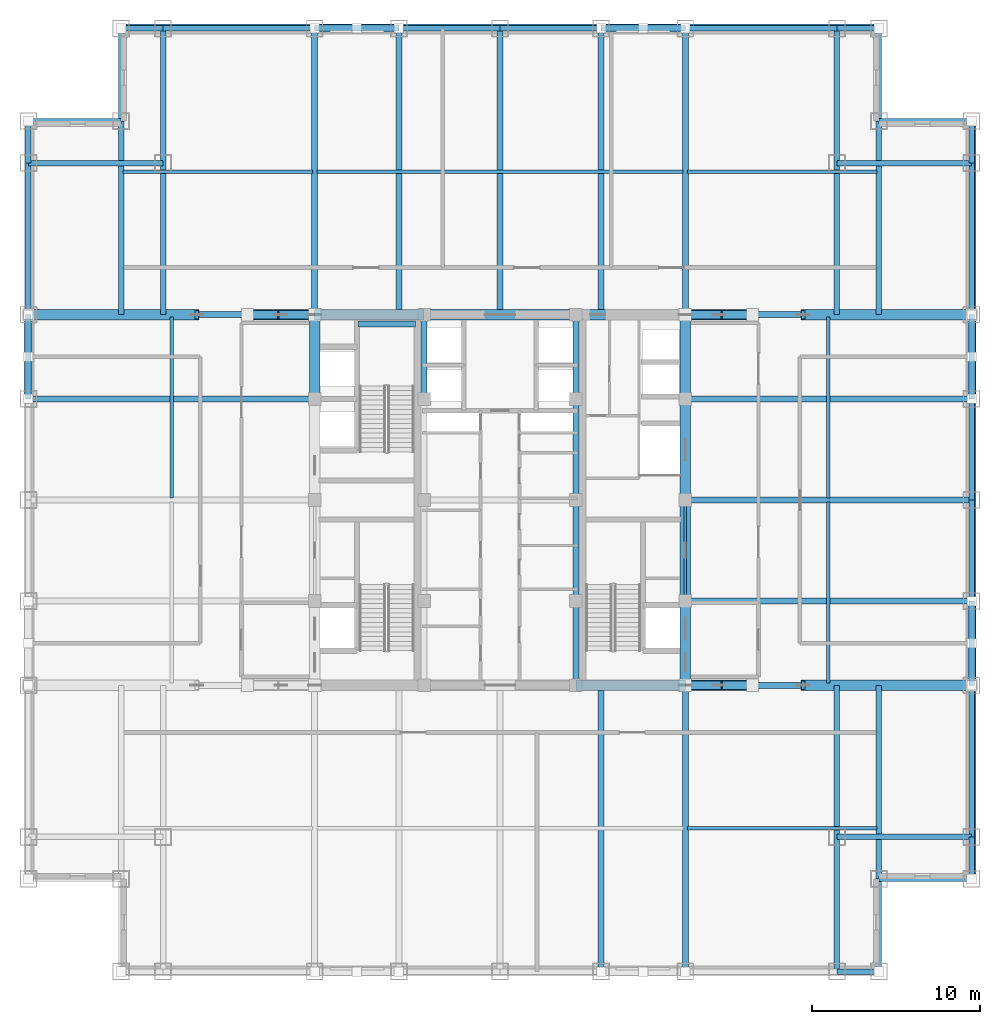
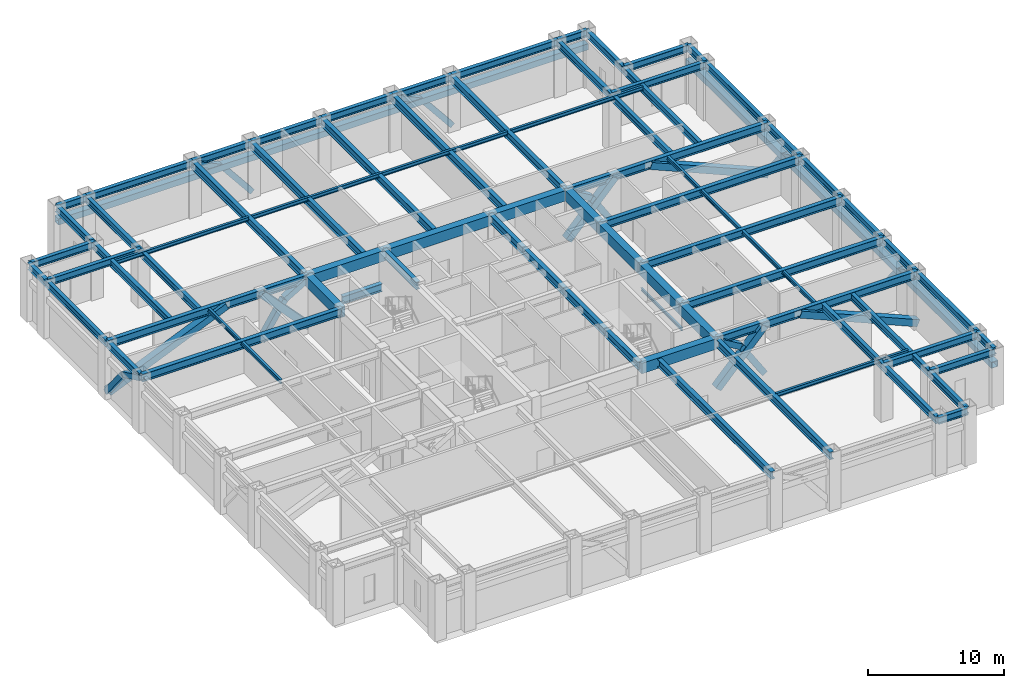
# One storey, part 2 of 11: 72 beams, 24 members.
"""IFC4 building model written with IfcOpenShell, lengths in metres."""

from ifc_helpers import new_model, si_unit, direction, frame, origin, origin_2d, place, context, subcontext, project, spatial, rectangle, hollow_rectangle, i_section, extrude, source, transform, mapped, material, material_profile, profile_set, type_object, element, save


model = new_model("IFC4")

# Units and contexts
model_context = context("Model", 3, precision=1e-05, world=origin(), true_north=direction((0.0, 1.0)))
body_context = subcontext(model_context, "Body", "Model", "MODEL_VIEW")
ifc_project = project(units=[si_unit("LENGTHUNIT", "METRE"), si_unit("AREAUNIT", "SQUARE_METRE"), si_unit("VOLUMEUNIT", "CUBIC_METRE"), si_unit("PLANEANGLEUNIT", "RADIAN"), si_unit("MASSUNIT", "GRAM", prefix="KILO")], contexts=[model_context])

# Site, building, storey
site_placement = place(None, origin())
site = spatial("IfcSite", under=ifc_project, at=site_placement, CompositionType="ELEMENT")
building_placement = place(site_placement, origin())
building = spatial("IfcBuilding", under=site, at=building_placement, Name="Khorayat Bourse Tower", CompositionType="ELEMENT")
storey_placement = place(building_placement, frame((0.0, 0.0, 268.300048828125)))
storey = spatial("IfcBuildingStorey", under=building, at=storey_placement, Name="L63", CompositionType="ELEMENT", Elevation=268.300048828125)

# Beams
ifc_material_1 = material(Name="Steel ASTM A992 Grade 50", Category="steel")
ifc_material_profile_1 = material_profile(ifc_material_1, i_section(OverallWidth=0.35498046875, OverallDepth=0.695068359375, WebThickness=0.015380859375, FlangeThickness=0.02490234375, FilletRadius=0.01806640625, at=origin_2d()), Name="W690X217")
ifc_profile_set_1 = profile_set([ifc_material_profile_1], Name="Steel ASTM A992 Grade 50")
beam_type_1 = type_object("IfcBeamType", Name="BM-GIRD-690", PredefinedType="BEAM", material=ifc_profile_set_1)
shared_shape_1 = source(origin(), body_context, "Body", "SweptSolid", [
    extrude(i_section(OverallWidth=0.35498046875, OverallDepth=0.695068359375, WebThickness=0.015380859375, FlangeThickness=0.02490234375, FilletRadius=0.01806640625, at=origin_2d()), origin(), (0.0, 0.0, 1.0), 5.0),
])
for number, where, z_axis, x_axis, name in (
    (1, (-4.5, 6.0, 4.632568359375), (0.0, 1.0, 0.0), (-1.0, 0.0, 0.0), "L63 BM-GIRD-690 BM-L63-CRX-08"),
    (2, (4.5, -11.0, 4.632568359375), (0.0, 1.0, 0.0), (-1.0, 0.0, 0.0), "L63 BM-GIRD-690 BM-L63-CRX-09"),
    (3, (4.5, 6.0, 4.632568359375), (0.0, 1.0, 0.0), (-1.0, 0.0, 0.0), "L63 BM-GIRD-690 BM-L63-CRX-12"),
):
    element("IfcBeam", number, at=place(storey_placement, frame(where, z_axis=z_axis, x_axis=x_axis)), inside=storey, type_object=beam_type_1, Name=name, PredefinedType="BEAM", context=body_context, shape_type="MappedRepresentation", body=[
        mapped(shared_shape_1, transform((0.0, 0.0, 0.0), scale=1.0)),
    ])
shared_shape_2 = source(origin(), body_context, "Body", "SweptSolid", [
    extrude(i_section(OverallWidth=0.35498046875, OverallDepth=0.695068359375, WebThickness=0.015380859375, FlangeThickness=0.02490234375, FilletRadius=0.01806640625, at=origin_2d()), origin(), (0.0, 0.0, 1.0), 6.0),
])
for number, where, z_axis, x_axis, name in (
    (4, (4.5, -6.0, 4.632568359375), (0.0, 1.0, 0.0), (-1.0, 0.0, 0.0), "L63 BM-GIRD-690 BM-L63-CRX-10"),
    (5, (4.5, 0.0, 4.632568359375), (0.0, 1.0, 0.0), (-1.0, 0.0, 0.0), "L63 BM-GIRD-690 BM-L63-CRX-11"),
):
    element("IfcBeam", number, at=place(storey_placement, frame(where, z_axis=z_axis, x_axis=x_axis)), inside=storey, type_object=beam_type_1, Name=name, PredefinedType="BEAM", context=body_context, shape_type="MappedRepresentation", body=[
        mapped(shared_shape_2, transform((0.0, 0.0, 0.0), scale=1.0)),
    ])
shared_shape_3 = source(origin(), body_context, "Body", "SweptSolid", [
    extrude(i_section(OverallWidth=0.35498046875, OverallDepth=0.695068359375, WebThickness=0.015380859375, FlangeThickness=0.02490234375, FilletRadius=0.01806640625, at=origin_2d()), origin(), (0.0, 0.0, 1.0), 3.39990234375),
])
beam_1_placement = place(storey_placement, frame((-8.419921875, 10.449951171875, 2.052490234375), z_axis=(1.0, 0.0, 0.0), x_axis=(0.0, 1.0, 0.0)))
element("IfcBeam", 6, at=beam_1_placement, inside=storey, type_object=beam_type_1, Name="L63 BM-GIRD-690 BM-L63-ST2L", PredefinedType="BEAM", context=body_context, shape_type="MappedRepresentation", body=[
    mapped(shared_shape_3, transform((0.0, 0.0, 0.0), scale=1.0)),
])
ifc_material_profile_2 = material_profile(ifc_material_1, i_section(OverallWidth=0.14697265625, OverallDepth=0.261962890625, WebThickness=0.006591796875, FlangeThickness=0.01123046875, FilletRadius=0.008056640625, at=origin_2d()), Name="W250X39")
ifc_profile_set_2 = profile_set([ifc_material_profile_2], Name="Steel ASTM A992 Grade 50")
beam_type_2 = type_object("IfcBeamType", Name="BM-LINTEL-250", PredefinedType="LINTEL", material=ifc_profile_set_2)
shared_shape_4 = source(origin(), body_context, "Body", "SweptSolid", [
    extrude(i_section(OverallWidth=0.14697265625, OverallDepth=0.261962890625, WebThickness=0.006591796875, FlangeThickness=0.01123046875, FilletRadius=0.008056640625, at=origin_2d()), origin(), (0.0, 0.0, 1.0), 6.0),
])
beam_2_placement = place(storey_placement, frame((11.0, -6.0, 2.550048828125), z_axis=(0.0, 1.0, 0.0), x_axis=(-1.0, 0.0, 0.0)))
element("IfcBeam", 7, at=beam_2_placement, inside=storey, type_object=beam_type_2, Name="L63 Core Opening Lintel 02", PredefinedType="LINTEL", context=body_context, shape_type="MappedRepresentation", body=[
    mapped(shared_shape_4, transform((0.0, 0.0, 0.0), scale=1.0)),
])
ifc_material_profile_3 = material_profile(ifc_material_1, i_section(OverallWidth=0.324951171875, OverallDepth=0.615966796875, WebThickness=0.013916015625, FlangeThickness=0.021484375, FilletRadius=0.01611328125, at=origin_2d()), Name="W610X174")
ifc_profile_set_3 = profile_set([ifc_material_profile_3], Name="Steel ASTM A992 Grade 50")
beam_type_3 = type_object("IfcBeamType", Name="BM-GIRD-610", PredefinedType="BEAM", material=ifc_profile_set_3)
shared_shape_5 = source(origin(), body_context, "Body", "SweptSolid", [
    extrude(i_section(OverallWidth=0.324951171875, OverallDepth=0.615966796875, WebThickness=0.013916015625, FlangeThickness=0.021484375, FilletRadius=0.01611328125, at=origin_2d()), origin(), (0.0, 0.0, 1.0), 17.0),
])
for number, where, z_axis, x_axis, name in (
    (8, (-20.0, 11.0, 4.592041015625), (0.0, 1.0, 0.0), (-1.0, 0.0, 0.0), "L63 BM-GIRD-610 BM-L63-CNRY-085"),
    (9, (20.0, -28.0, 4.592041015625), (0.0, 1.0, 0.0), (-1.0, 0.0, 0.0), "L63 BM-GIRD-610 BM-L63-CNRY-086"),
    (10, (20.0, 11.0, 4.592041015625), (0.0, 1.0, 0.0), (-1.0, 0.0, 0.0), "L63 BM-GIRD-610 BM-L63-CNRY-087"),
):
    element("IfcBeam", number, at=place(storey_placement, frame(where, z_axis=z_axis, x_axis=x_axis)), inside=storey, type_object=beam_type_3, Name=name, PredefinedType="BEAM", context=body_context, shape_type="MappedRepresentation", body=[
        mapped(shared_shape_5, transform((0.0, 0.0, 0.0), scale=1.0)),
    ])

# Members
ifc_material_2 = material(Name="Steel EN 10025-4 S460M", Category="steel")
ifc_material_profile_4 = material_profile(ifc_material_2, hollow_rectangle(XDim=0.60009765625, YDim=0.60009765625, WallThickness=0.034912109375, at=origin_2d()), Name="BOX 600x600x35")
ifc_profile_set_4 = profile_set([ifc_material_profile_4], Name="Steel EN 10025-4 S460M")
member_type_1 = type_object("IfcMemberType", Name="MBR-OUTRIG-600", PredefinedType="BRACE", material=ifc_profile_set_4)
shared_shape_6 = source(origin(), body_context, "Body", "SweptSolid", [
    extrude(hollow_rectangle(XDim=0.60009765625, YDim=0.60009765625, WallThickness=0.034912109375, at=origin_2d()), origin(), (0.0, 0.0, 1.0), 5.858154296875),
])
for number, where, z_axis, x_axis, name in (
    (11, (-11.0, 11.0, 0.349853515625), (-0.682802163589, 0.0, 0.730603316033), (0.0, -1.0, 0.0), "L63 Outrigger Truss Diagonal 03"),
    (12, (11.0, -11.0, 0.349853515625), (0.682802163589, 0.0, 0.730603316033), (0.0, 1.0, 0.0), "L63 Outrigger Truss Diagonal 05"),
    (13, (11.0, 11.0, 0.349853515625), (0.682802163589, 0.0, 0.730603316033), (0.0, 1.0, 0.0), "L63 Outrigger Truss Diagonal 07"),
):
    element("IfcMember", number, at=place(storey_placement, frame(where, z_axis=z_axis, x_axis=x_axis)), inside=storey, type_object=member_type_1, Name=name, PredefinedType="BRACE", context=body_context, shape_type="MappedRepresentation", body=[
        mapped(shared_shape_6, transform((0.0, 0.0, 0.0), scale=1.0)),
    ])
ifc_material_profile_5 = material_profile(ifc_material_2, hollow_rectangle(XDim=0.5, YDim=0.5, WallThickness=0.028076171875, at=origin_2d()), Name="HSS 500x500x28")
ifc_profile_set_5 = profile_set([ifc_material_profile_5], Name="Steel EN 10025-4 S460M")
member_type_2 = type_object("IfcMemberType", Name="MBR-TRUSS-500", PredefinedType="CHORD", material=ifc_profile_set_5)
shared_shape_7 = source(origin(), body_context, "Body", "SweptSolid", [
    extrude(hollow_rectangle(XDim=0.5, YDim=0.5, WallThickness=0.028076171875, at=origin_2d()), origin(), (0.0, 0.0, 1.0), 2.322021484375),
])
for number, where, z_axis, x_axis, name in (
    (14, (-11.0, 11.0, 4.6298828125), (-0.861282141097, 0.0, -0.508127024893), (0.0, -1.0, 0.0), "L63 Plant Belt Web Diagonal 03"),
    (15, (11.0, -11.0, 4.6298828125), (0.861282141097, 0.0, -0.508127024893), (0.0, 1.0, 0.0), "L63 Plant Belt Web Diagonal 05"),
    (16, (11.0, 11.0, 4.6298828125), (0.861282141097, 0.0, -0.508127024893), (0.0, 1.0, 0.0), "L63 Plant Belt Web Diagonal 07"),
):
    element("IfcMember", number, at=place(storey_placement, frame(where, z_axis=z_axis, x_axis=x_axis)), inside=storey, type_object=member_type_2, Name=name, PredefinedType="CHORD", context=body_context, shape_type="MappedRepresentation", body=[
        mapped(shared_shape_7, transform((0.0, 0.0, 0.0), scale=1.0)),
    ])
shared_shape_8 = source(origin(), body_context, "Body", "SweptSolid", [
    extrude(hollow_rectangle(XDim=0.5, YDim=0.5, WallThickness=0.028076171875, at=origin_2d()), origin(), (0.0, 0.0, 1.0), 3.689208984375),
])
for number, where, z_axis, x_axis, name in (
    (17, (-13.0, 11.0, 3.449951171875), (-0.542114811222, 0.0, -0.840304427844), (0.0, -1.0, 0.0), "L63 Plant Belt Web Diagonal 04"),
    (18, (13.0, -11.0, 3.449951171875), (0.542114811222, 0.0, -0.840304427844), (0.0, 1.0, 0.0), "L63 Plant Belt Web Diagonal 06"),
    (19, (13.0, 11.0, 3.449951171875), (0.542114811222, 0.0, -0.840304427844), (0.0, 1.0, 0.0), "L63 Plant Belt Web Diagonal 08"),
):
    element("IfcMember", number, at=place(storey_placement, frame(where, z_axis=z_axis, x_axis=x_axis)), inside=storey, type_object=member_type_2, Name=name, PredefinedType="CHORD", context=body_context, shape_type="MappedRepresentation", body=[
        mapped(shared_shape_8, transform((0.0, 0.0, 0.0), scale=1.0)),
    ])

# Beams
ifc_material_profile_6 = material_profile(ifc_material_1, i_section(OverallWidth=0.324951171875, OverallDepth=0.615966796875, WebThickness=0.013916015625, FlangeThickness=0.021484375, FilletRadius=0.01611328125, at=origin_2d()), Name="W610X174")
ifc_profile_set_6 = profile_set([ifc_material_profile_6], Name="Steel ASTM A992 Grade 50")
beam_type_4 = type_object("IfcBeamType", Name="BM-SPAN-610", PredefinedType="SPANDREL", material=ifc_profile_set_6)
shared_shape_9 = source(origin(), body_context, "Body", "SweptSolid", [
    extrude(i_section(OverallWidth=0.324951171875, OverallDepth=0.615966796875, WebThickness=0.013916015625, FlangeThickness=0.021484375, FilletRadius=0.01611328125, at=origin_2d()), origin(), (0.0, 0.0, 1.0), 5.5),
])
for number, where, z_axis, x_axis, name in (
    (20, (22.5, -28.0, 4.592041015625), (0.0, 1.0, 0.0), (-1.0, 0.0, 0.0), "L63 BM-SPAN-610 BM-L63-SPN-032"),
    (21, (22.5, -22.5, 4.671875), (1.0, 0.0, 0.0), (0.0, 1.0, 0.0), "L63 BM-SPAN-610 BM-L63-SPN-033"),
    (22, (22.5, 22.5, 4.671875), (1.0, 0.0, 0.0), (0.0, 1.0, 0.0), "L63 BM-SPAN-610 BM-L63-SPN-042"),
    (23, (22.5, 22.5, 4.592041015625), (0.0, 1.0, 0.0), (-1.0, 0.0, 0.0), "L63 BM-SPAN-610 BM-L63-SPN-043"),
    (24, (-22.5, 22.5, 4.592041015625), (0.0, 1.0, 0.0), (-1.0, 0.0, 0.0), "L63 BM-SPAN-610 BM-L63-SPN-052"),
    (25, (-28.0, 22.5, 4.671875), (1.0, 0.0, 0.0), (0.0, 1.0, 0.0), "L63 BM-SPAN-610 BM-L63-SPN-053"),
):
    element("IfcBeam", number, at=place(storey_placement, frame(where, z_axis=z_axis, x_axis=x_axis)), inside=storey, type_object=beam_type_4, Name=name, PredefinedType="SPANDREL", context=body_context, shape_type="MappedRepresentation", body=[
        mapped(shared_shape_9, transform((0.0, 0.0, 0.0), scale=1.0)),
    ])
shared_shape_10 = source(origin(), body_context, "Body", "SweptSolid", [
    extrude(i_section(OverallWidth=0.324951171875, OverallDepth=0.615966796875, WebThickness=0.013916015625, FlangeThickness=0.021484375, FilletRadius=0.01611328125, at=origin_2d()), origin(), (0.0, 0.0, 1.0), 9.0),
])
for number, where, z_axis, x_axis, name in (
    (26, (28.0, -20.0, 4.671875), (0.0, 1.0, 0.0), (-1.0, 0.0, 0.0), "L63 BM-SPAN-610 BM-L63-SPN-035"),
    (27, (28.0, 11.0, 4.671875), (0.0, 1.0, 0.0), (-1.0, 0.0, 0.0), "L63 BM-SPAN-610 BM-L63-SPN-040"),
    (28, (11.0, 28.0, 4.592041015625), (1.0, 0.0, 0.0), (0.0, 1.0, 0.0), "L63 BM-SPAN-610 BM-L63-SPN-045"),
    (29, (-20.0, 28.0, 4.592041015625), (1.0, 0.0, 0.0), (0.0, 1.0, 0.0), "L63 BM-SPAN-610 BM-L63-SPN-050"),
    (30, (-28.0, 11.0, 4.671875), (0.0, 1.0, 0.0), (-1.0, 0.0, 0.0), "L63 BM-SPAN-610 BM-L63-SPN-055"),
):
    element("IfcBeam", number, at=place(storey_placement, frame(where, z_axis=z_axis, x_axis=x_axis)), inside=storey, type_object=beam_type_4, Name=name, PredefinedType="SPANDREL", context=body_context, shape_type="MappedRepresentation", body=[
        mapped(shared_shape_10, transform((0.0, 0.0, 0.0), scale=1.0)),
    ])
shared_shape_11 = source(origin(), body_context, "Body", "SweptSolid", [
    extrude(i_section(OverallWidth=0.324951171875, OverallDepth=0.615966796875, WebThickness=0.013916015625, FlangeThickness=0.021484375, FilletRadius=0.01611328125, at=origin_2d()), origin(), (0.0, 0.0, 1.0), 5.0),
])
for number, where, z_axis, x_axis, name in (
    (31, (28.0, -11.0, 4.671875), (0.0, 1.0, 0.0), (-1.0, 0.0, 0.0), "L63 BM-SPAN-610 BM-L63-SPN-036"),
    (32, (28.0, 6.0, 4.671875), (0.0, 1.0, 0.0), (-1.0, 0.0, 0.0), "L63 BM-SPAN-610 BM-L63-SPN-039"),
    (33, (6.0, 28.0, 4.592041015625), (1.0, 0.0, 0.0), (0.0, 1.0, 0.0), "L63 BM-SPAN-610 BM-L63-SPN-046"),
    (34, (-11.0, 28.0, 4.592041015625), (1.0, 0.0, 0.0), (0.0, 1.0, 0.0), "L63 BM-SPAN-610 BM-L63-SPN-049"),
    (35, (-28.0, 6.0, 4.671875), (0.0, 1.0, 0.0), (-1.0, 0.0, 0.0), "L63 BM-SPAN-610 BM-L63-SPN-056"),
):
    element("IfcBeam", number, at=place(storey_placement, frame(where, z_axis=z_axis, x_axis=x_axis)), inside=storey, type_object=beam_type_4, Name=name, PredefinedType="SPANDREL", context=body_context, shape_type="MappedRepresentation", body=[
        mapped(shared_shape_11, transform((0.0, 0.0, 0.0), scale=1.0)),
    ])
shared_shape_12 = source(origin(), body_context, "Body", "SweptSolid", [
    extrude(i_section(OverallWidth=0.324951171875, OverallDepth=0.615966796875, WebThickness=0.013916015625, FlangeThickness=0.021484375, FilletRadius=0.01611328125, at=origin_2d()), origin(), (0.0, 0.0, 1.0), 6.0),
])
for number, where, z_axis, x_axis, name in (
    (36, (28.0, -6.0, 4.671875), (0.0, 1.0, 0.0), (-1.0, 0.0, 0.0), "L63 BM-SPAN-610 BM-L63-SPN-037"),
    (37, (28.0, 0.0, 4.671875), (0.0, 1.0, 0.0), (-1.0, 0.0, 0.0), "L63 BM-SPAN-610 BM-L63-SPN-038"),
    (38, (0.0, 28.0, 4.592041015625), (1.0, 0.0, 0.0), (0.0, 1.0, 0.0), "L63 BM-SPAN-610 BM-L63-SPN-047"),
    (39, (-6.0, 28.0, 4.592041015625), (1.0, 0.0, 0.0), (0.0, 1.0, 0.0), "L63 BM-SPAN-610 BM-L63-SPN-048"),
):
    element("IfcBeam", number, at=place(storey_placement, frame(where, z_axis=z_axis, x_axis=x_axis)), inside=storey, type_object=beam_type_4, Name=name, PredefinedType="SPANDREL", context=body_context, shape_type="MappedRepresentation", body=[
        mapped(shared_shape_12, transform((0.0, 0.0, 0.0), scale=1.0)),
    ])
ifc_material_3 = material(Name="Concrete C60/75", Category="concrete")
ifc_material_profile_7 = material_profile(ifc_material_3, rectangle(XDim=0.60009765625, YDim=0.949951171875, at=origin_2d()), Name="RC 600x950")
ifc_profile_set_7 = profile_set([ifc_material_profile_7], Name="Concrete C60/75")
beam_type_5 = type_object("IfcBeamType", Name="BM-COUP-950", PredefinedType="BEAM", material=ifc_profile_set_7)
shared_shape_13 = source(origin(), body_context, "Body", "SweptSolid", [
    extrude(rectangle(XDim=0.60009765625, YDim=0.949951171875, at=origin_2d()), origin(), (0.0, 0.0, 1.0), 5.0),
])
for number, where, z_axis, x_axis, name in (
    (40, (-11.0, 6.0, 4.5048828125), (0.0, 1.0, 0.0), (-1.0, 0.0, 0.0), "L63 BM-COUP-950 BM-L63-CRX-04"),
    (41, (11.0, -11.0, 4.5048828125), (0.0, 1.0, 0.0), (-1.0, 0.0, 0.0), "L63 BM-COUP-950 BM-L63-CRX-13"),
    (42, (11.0, 6.0, 4.5048828125), (0.0, 1.0, 0.0), (-1.0, 0.0, 0.0), "L63 BM-COUP-950 BM-L63-CRX-16"),
):
    element("IfcBeam", number, at=place(storey_placement, frame(where, z_axis=z_axis, x_axis=x_axis)), inside=storey, type_object=beam_type_5, Name=name, PredefinedType="BEAM", context=body_context, shape_type="MappedRepresentation", body=[
        mapped(shared_shape_13, transform((0.0, 0.0, 0.0), scale=1.0)),
    ])
shared_shape_14 = source(origin(), body_context, "Body", "SweptSolid", [
    extrude(rectangle(XDim=0.60009765625, YDim=0.949951171875, at=origin_2d()), origin(), (0.0, 0.0, 1.0), 6.0),
])
for number, where, z_axis, x_axis, name in (
    (43, (11.0, -6.0, 4.5048828125), (0.0, 1.0, 0.0), (-1.0, 0.0, 0.0), "L63 BM-COUP-950 BM-L63-CRX-14"),
    (44, (11.0, 0.0, 4.5048828125), (0.0, 1.0, 0.0), (-1.0, 0.0, 0.0), "L63 BM-COUP-950 BM-L63-CRX-15"),
):
    element("IfcBeam", number, at=place(storey_placement, frame(where, z_axis=z_axis, x_axis=x_axis)), inside=storey, type_object=beam_type_5, Name=name, PredefinedType="BEAM", context=body_context, shape_type="MappedRepresentation", body=[
        mapped(shared_shape_14, transform((0.0, 0.0, 0.0), scale=1.0)),
    ])
shared_shape_15 = source(origin(), body_context, "Body", "SweptSolid", [
    extrude(rectangle(XDim=0.60009765625, YDim=0.949951171875, at=origin_2d()), origin(), (0.0, 0.0, 1.0), 6.5),
])
for number, where, z_axis, x_axis, name in (
    (45, (4.5, -11.0, 4.5048828125), (1.0, 0.0, 0.0), (0.0, 1.0, 0.0), "L63 BM-COUP-950 BM-L63-CRY-19"),
    (46, (-11.0, 11.0, 4.5048828125), (1.0, 0.0, 0.0), (0.0, 1.0, 0.0), "L63 BM-COUP-950 BM-L63-CRY-20"),
    (47, (4.5, 11.0, 4.5048828125), (1.0, 0.0, 0.0), (0.0, 1.0, 0.0), "L63 BM-COUP-950 BM-L63-CRY-22"),
):
    element("IfcBeam", number, at=place(storey_placement, frame(where, z_axis=z_axis, x_axis=x_axis)), inside=storey, type_object=beam_type_5, Name=name, PredefinedType="BEAM", context=body_context, shape_type="MappedRepresentation", body=[
        mapped(shared_shape_15, transform((0.0, 0.0, 0.0), scale=1.0)),
    ])
shared_shape_16 = source(origin(), body_context, "Body", "SweptSolid", [
    extrude(rectangle(XDim=0.60009765625, YDim=0.949951171875, at=origin_2d()), origin(), (0.0, 0.0, 1.0), 9.0),
])
beam_3_placement = place(storey_placement, frame((-4.5, 11.0, 4.5048828125), z_axis=(1.0, 0.0, 0.0), x_axis=(0.0, 1.0, 0.0)))
element("IfcBeam", 48, at=beam_3_placement, inside=storey, type_object=beam_type_5, Name="L63 BM-COUP-950 BM-L63-CRY-21", PredefinedType="BEAM", context=body_context, shape_type="MappedRepresentation", body=[
    mapped(shared_shape_16, transform((0.0, 0.0, 0.0), scale=1.0)),
])
shared_shape_17 = source(origin(), body_context, "Body", "SweptSolid", [
    extrude(i_section(OverallWidth=0.324951171875, OverallDepth=0.615966796875, WebThickness=0.013916015625, FlangeThickness=0.021484375, FilletRadius=0.01611328125, at=origin_2d()), origin(), (0.0, 0.0, 1.0), 2.5),
])
for number, where, z_axis, x_axis, name in (
    (49, (20.0, -28.0, 4.592041015625), (1.0, 0.0, 0.0), (0.0, 1.0, 0.0), "L63 BM-SPAN-610 BM-L63-SPN-031"),
    (50, (28.0, -22.5, 4.671875), (0.0, 1.0, 0.0), (-1.0, 0.0, 0.0), "L63 BM-SPAN-610 BM-L63-SPN-034"),
    (51, (28.0, 20.0, 4.671875), (0.0, 1.0, 0.0), (-1.0, 0.0, 0.0), "L63 BM-SPAN-610 BM-L63-SPN-041"),
    (52, (20.0, 28.0, 4.592041015625), (1.0, 0.0, 0.0), (0.0, 1.0, 0.0), "L63 BM-SPAN-610 BM-L63-SPN-044"),
    (53, (-22.5, 28.0, 4.592041015625), (1.0, 0.0, 0.0), (0.0, 1.0, 0.0), "L63 BM-SPAN-610 BM-L63-SPN-051"),
    (54, (-28.0, 20.0, 4.671875), (0.0, 1.0, 0.0), (-1.0, 0.0, 0.0), "L63 BM-SPAN-610 BM-L63-SPN-054"),
):
    element("IfcBeam", number, at=place(storey_placement, frame(where, z_axis=z_axis, x_axis=x_axis)), inside=storey, type_object=beam_type_4, Name=name, PredefinedType="SPANDREL", context=body_context, shape_type="MappedRepresentation", body=[
        mapped(shared_shape_17, transform((0.0, 0.0, 0.0), scale=1.0)),
    ])
shared_shape_18 = source(origin(), body_context, "Body", "SweptSolid", [
    extrude(i_section(OverallWidth=0.35498046875, OverallDepth=0.695068359375, WebThickness=0.015380859375, FlangeThickness=0.02490234375, FilletRadius=0.01806640625, at=origin_2d()), origin(), (0.0, 0.0, 1.0), 17.0),
])
for number, where, z_axis, x_axis, name in (
    (55, (-11.0, 11.0, 4.552490234375), (0.0, 1.0, 0.0), (-1.0, 0.0, 0.0), "L63 BM-GIRD-690 BM-L63-RADY-064"),
    (56, (-6.0, 11.0, 4.552490234375), (0.0, 1.0, 0.0), (-1.0, 0.0, 0.0), "L63 BM-GIRD-690 BM-L63-RADY-066"),
    (57, (0.0, 11.0, 4.552490234375), (0.0, 1.0, 0.0), (-1.0, 0.0, 0.0), "L63 BM-GIRD-690 BM-L63-RADY-068"),
    (58, (6.0, 11.0, 4.552490234375), (0.0, 1.0, 0.0), (-1.0, 0.0, 0.0), "L63 BM-GIRD-690 BM-L63-RADY-070"),
    (59, (6.0, -28.0, 4.552490234375), (0.0, 1.0, 0.0), (-1.0, 0.0, 0.0), "L63 BM-GIRD-690 BM-L63-RADY-071"),
    (60, (11.0, 11.0, 4.552490234375), (0.0, 1.0, 0.0), (-1.0, 0.0, 0.0), "L63 BM-GIRD-690 BM-L63-RADY-072"),
    (61, (11.0, -28.0, 4.552490234375), (0.0, 1.0, 0.0), (-1.0, 0.0, 0.0), "L63 BM-GIRD-690 BM-L63-RADY-073"),
    (62, (11.0, -11.0, 4.632568359375), (1.0, 0.0, 0.0), (0.0, 1.0, 0.0), "L63 BM-GIRD-690 BM-L63-RADX-074"),
    (63, (11.0, -6.0, 4.632568359375), (1.0, 0.0, 0.0), (0.0, 1.0, 0.0), "L63 BM-GIRD-690 BM-L63-RADX-076"),
    (64, (11.0, 0.0, 4.632568359375), (1.0, 0.0, 0.0), (0.0, 1.0, 0.0), "L63 BM-GIRD-690 BM-L63-RADX-078"),
    (65, (11.0, 6.0, 4.632568359375), (1.0, 0.0, 0.0), (0.0, 1.0, 0.0), "L63 BM-GIRD-690 BM-L63-RADX-080"),
    (66, (-28.0, 6.0, 4.632568359375), (1.0, 0.0, 0.0), (0.0, 1.0, 0.0), "L63 BM-GIRD-690 BM-L63-RADX-081"),
    (67, (11.0, 11.0, 4.632568359375), (1.0, 0.0, 0.0), (0.0, 1.0, 0.0), "L63 BM-GIRD-690 BM-L63-RADX-082"),
    (68, (-28.0, 11.0, 4.632568359375), (1.0, 0.0, 0.0), (0.0, 1.0, 0.0), "L63 BM-GIRD-690 BM-L63-RADX-083"),
):
    element("IfcBeam", number, at=place(storey_placement, frame(where, z_axis=z_axis, x_axis=x_axis)), inside=storey, type_object=beam_type_1, Name=name, PredefinedType="BEAM", context=body_context, shape_type="MappedRepresentation", body=[
        mapped(shared_shape_18, transform((0.0, 0.0, 0.0), scale=1.0)),
    ])
shared_shape_19 = source(origin(), body_context, "Body", "SweptSolid", [
    extrude(i_section(OverallWidth=0.324951171875, OverallDepth=0.615966796875, WebThickness=0.013916015625, FlangeThickness=0.021484375, FilletRadius=0.01611328125, at=origin_2d()), origin(), (0.0, 0.0, 1.0), 11.5),
])
for number, where, z_axis, x_axis, name in (
    (69, (-22.5, 11.0, 4.592041015625), (0.0, 1.0, 0.0), (-1.0, 0.0, 0.0), "L63 BM-GIRD-610 BM-L63-CNRY-089"),
    (70, (22.5, -22.5, 4.592041015625), (0.0, 1.0, 0.0), (-1.0, 0.0, 0.0), "L63 BM-GIRD-610 BM-L63-CNRY-090"),
    (71, (22.5, 11.0, 4.592041015625), (0.0, 1.0, 0.0), (-1.0, 0.0, 0.0), "L63 BM-GIRD-610 BM-L63-CNRY-091"),
):
    element("IfcBeam", number, at=place(storey_placement, frame(where, z_axis=z_axis, x_axis=x_axis)), inside=storey, type_object=beam_type_3, Name=name, PredefinedType="BEAM", context=body_context, shape_type="MappedRepresentation", body=[
        mapped(shared_shape_19, transform((0.0, 0.0, 0.0), scale=1.0)),
    ])
shared_shape_20 = source(origin(), body_context, "Body", "SweptSolid", [
    extrude(i_section(OverallWidth=0.324951171875, OverallDepth=0.615966796875, WebThickness=0.013916015625, FlangeThickness=0.021484375, FilletRadius=0.01611328125, at=origin_2d()), origin(), (0.0, 0.0, 1.0), 8.0),
])
for number, where, z_axis, x_axis, name in (
    (72, (20.0, -20.0, 4.671875), (1.0, 0.0, 0.0), (0.0, 1.0, 0.0), "L63 BM-GIRD-610 BM-L63-CNRX-092"),
    (73, (20.0, 20.0, 4.671875), (1.0, 0.0, 0.0), (0.0, 1.0, 0.0), "L63 BM-GIRD-610 BM-L63-CNRX-094"),
    (74, (-28.0, 20.0, 4.671875), (1.0, 0.0, 0.0), (0.0, 1.0, 0.0), "L63 BM-GIRD-610 BM-L63-CNRX-095"),
):
    element("IfcBeam", number, at=place(storey_placement, frame(where, z_axis=z_axis, x_axis=x_axis)), inside=storey, type_object=beam_type_3, Name=name, PredefinedType="BEAM", context=body_context, shape_type="MappedRepresentation", body=[
        mapped(shared_shape_20, transform((0.0, 0.0, 0.0), scale=1.0)),
    ])
ifc_material_profile_8 = material_profile(ifc_material_1, i_section(OverallWidth=0.202880859375, OverallDepth=0.346923828125, WebThickness=0.0078125, FlangeThickness=0.013427734375, FilletRadius=0.010009765625, at=origin_2d()), Name="W360X64")
ifc_profile_set_8 = profile_set([ifc_material_profile_8], Name="Steel ASTM A992 Grade 50")
beam_type_6 = type_object("IfcBeamType", Name="BM-JOIST-360", PredefinedType="JOIST", material=ifc_profile_set_8)
shared_shape_21 = source(origin(), body_context, "Body", "SweptSolid", [
    extrude(i_section(OverallWidth=0.202880859375, OverallDepth=0.346923828125, WebThickness=0.0078125, FlangeThickness=0.013427734375, FilletRadius=0.010009765625, at=origin_2d()), origin(), (0.0, 0.0, 1.0), 11.240234375),
])
for number, where, z_axis, x_axis, name in (
    (75, (11.1298828125, -19.5, 4.806396484375), (1.0, 0.0, 0.0), (0.0, 1.0, 0.0), "L63 BM-JOIST-360 BM-L63-JSTX-098"),
    (76, (-22.3701171875, 19.5, 4.806396484375), (1.0, 0.0, 0.0), (0.0, 1.0, 0.0), "L63 BM-JOIST-360 BM-L63-JSTX-099"),
    (77, (11.1298828125, 19.5, 4.806396484375), (1.0, 0.0, 0.0), (0.0, 1.0, 0.0), "L63 BM-JOIST-360 BM-L63-JSTX-101"),
):
    element("IfcBeam", number, at=place(storey_placement, frame(where, z_axis=z_axis, x_axis=x_axis)), inside=storey, type_object=beam_type_6, Name=name, PredefinedType="JOIST", context=body_context, shape_type="MappedRepresentation", body=[
        mapped(shared_shape_21, transform((0.0, 0.0, 0.0), scale=1.0)),
    ])
shared_shape_22 = source(origin(), body_context, "Body", "SweptSolid", [
    extrude(i_section(OverallWidth=0.202880859375, OverallDepth=0.346923828125, WebThickness=0.0078125, FlangeThickness=0.013427734375, FilletRadius=0.010009765625, at=origin_2d()), origin(), (0.0, 0.0, 1.0), 21.740234375),
])
beam_4_placement = place(storey_placement, frame((-10.8701171875, 19.5, 4.806396484375), z_axis=(1.0, 0.0, 0.0), x_axis=(0.0, 1.0, 0.0)))
element("IfcBeam", 78, at=beam_4_placement, inside=storey, type_object=beam_type_6, Name="L63 BM-JOIST-360 BM-L63-JSTX-100", PredefinedType="JOIST", context=body_context, shape_type="MappedRepresentation", body=[
    mapped(shared_shape_22, transform((0.0, 0.0, 0.0), scale=1.0)),
])
shared_shape_23 = source(origin(), body_context, "Body", "SweptSolid", [
    extrude(i_section(OverallWidth=0.202880859375, OverallDepth=0.346923828125, WebThickness=0.0078125, FlangeThickness=0.013427734375, FilletRadius=0.010009765625, at=origin_2d()), origin(), (0.0, 0.0, 1.0), 10.740234375),
])
for number, where, z_axis, x_axis, name in (
    (79, (-19.5, 0.1298828125, 4.806396484375), (0.0, 1.0, 0.0), (-1.0, 0.0, 0.0), "L63 BM-JOIST-360 BM-L63-JSTY-103"),
    (80, (19.5, -10.8701171875, 4.806396484375), (0.0, 1.0, 0.0), (-1.0, 0.0, 0.0), "L63 BM-JOIST-360 BM-L63-JSTY-104"),
    (81, (19.5, 0.1298828125, 4.806396484375), (0.0, 1.0, 0.0), (-1.0, 0.0, 0.0), "L63 BM-JOIST-360 BM-L63-JSTY-105"),
):
    element("IfcBeam", number, at=place(storey_placement, frame(where, z_axis=z_axis, x_axis=x_axis)), inside=storey, type_object=beam_type_6, Name=name, PredefinedType="JOIST", context=body_context, shape_type="MappedRepresentation", body=[
        mapped(shared_shape_23, transform((0.0, 0.0, 0.0), scale=1.0)),
    ])

# Members
ifc_material_profile_9 = material_profile(ifc_material_2, hollow_rectangle(XDim=0.449951171875, YDim=0.449951171875, WallThickness=0.02490234375, at=origin_2d()), Name="HSS 450x450x25")
ifc_profile_set_9 = profile_set([ifc_material_profile_9], Name="Steel EN 10025-4 S460M")
member_type_3 = type_object("IfcMemberType", Name="MBR-TUBE-450", PredefinedType="BRACE", material=ifc_profile_set_9)
shared_shape_24 = source(origin(), body_context, "Body", "SweptSolid", [
    extrude(hollow_rectangle(XDim=0.449951171875, YDim=0.449951171875, WallThickness=0.02490234375, at=origin_2d()), origin(), (0.0, 0.0, 1.0), 2.764404296875),
])
for number, where, z_axis, x_axis, name in (
    (82, (-11.0, 28.0, 4.6298828125), (0.904335771864, 0.0, -0.426821756389), (0.0, 1.0, 0.0), "L63 Perimeter Tube Brace 05"),
    (83, (6.0, 28.0, 4.6298828125), (0.904335771864, 0.0, -0.426821756389), (0.0, 1.0, 0.0), "L63 Perimeter Tube Brace 07"),
    (84, (-28.0, 6.0, 4.6298828125), (0.0, 0.904335771864, -0.426821756389), (-1.0, 0.0, 0.0), "L63 Perimeter Tube Brace 11"),
    (85, (28.0, -11.0, 4.6298828125), (0.0, 0.904335771864, -0.426821756389), (-1.0, 0.0, 0.0), "L63 Perimeter Tube Brace 13"),
    (86, (28.0, 6.0, 4.6298828125), (0.0, 0.904335771864, -0.426821756389), (-1.0, 0.0, 0.0), "L63 Perimeter Tube Brace 15"),
):
    element("IfcMember", number, at=place(storey_placement, frame(where, z_axis=z_axis, x_axis=x_axis)), inside=storey, type_object=member_type_3, Name=name, PredefinedType="BRACE", context=body_context, shape_type="MappedRepresentation", body=[
        mapped(shared_shape_24, transform((0.0, 0.0, 0.0), scale=1.0)),
    ])
shared_shape_25 = source(origin(), body_context, "Body", "SweptSolid", [
    extrude(hollow_rectangle(XDim=0.449951171875, YDim=0.449951171875, WallThickness=0.02490234375, at=origin_2d()), origin(), (0.0, 0.0, 1.0), 3.982421875),
])
for number, where, z_axis, x_axis, name in (
    (87, (-8.5, 28.0, 3.449951171875), (0.627740468857, 0.0, -0.778422702495), (0.0, 1.0, 0.0), "L63 Perimeter Tube Brace 06"),
    (88, (8.5, 28.0, 3.449951171875), (0.627740468857, 0.0, -0.778422702495), (0.0, 1.0, 0.0), "L63 Perimeter Tube Brace 08"),
    (89, (-28.0, 8.5, 3.449951171875), (0.0, 0.627740468857, -0.778422702495), (-1.0, 0.0, 0.0), "L63 Perimeter Tube Brace 12"),
    (90, (28.0, -8.5, 3.449951171875), (0.0, 0.627740468857, -0.778422702495), (-1.0, 0.0, 0.0), "L63 Perimeter Tube Brace 14"),
    (91, (28.0, 8.5, 3.449951171875), (0.0, 0.627740468857, -0.778422702495), (-1.0, 0.0, 0.0), "L63 Perimeter Tube Brace 16"),
):
    element("IfcMember", number, at=place(storey_placement, frame(where, z_axis=z_axis, x_axis=x_axis)), inside=storey, type_object=member_type_3, Name=name, PredefinedType="BRACE", context=body_context, shape_type="MappedRepresentation", body=[
        mapped(shared_shape_25, transform((0.0, 0.0, 0.0), scale=1.0)),
    ])
shared_shape_26 = source(origin(), body_context, "Body", "SweptSolid", [
    extrude(hollow_rectangle(XDim=0.60009765625, YDim=0.60009765625, WallThickness=0.034912109375, at=origin_2d()), origin(), (0.0, 0.0, 1.0), 10.87744140625),
])
for number, where, z_axis, x_axis, name in (
    (92, (-18.0, 11.0, 4.6298828125), (-0.919334155848, 0.0, -0.393477712065), (0.0, -1.0, 0.0), "L63 Outrigger Truss Diagonal 04"),
    (93, (18.0, -11.0, 4.6298828125), (0.919334155848, 0.0, -0.393477712065), (0.0, 1.0, 0.0), "L63 Outrigger Truss Diagonal 06"),
    (94, (18.0, 11.0, 4.6298828125), (0.919334155848, 0.0, -0.393477712065), (0.0, 1.0, 0.0), "L63 Outrigger Truss Diagonal 08"),
):
    element("IfcMember", number, at=place(storey_placement, frame(where, z_axis=z_axis, x_axis=x_axis)), inside=storey, type_object=member_type_1, Name=name, PredefinedType="BRACE", context=body_context, shape_type="MappedRepresentation", body=[
        mapped(shared_shape_26, transform((0.0, 0.0, 0.0), scale=1.0)),
    ])
ifc_material_profile_10 = material_profile(ifc_material_2, hollow_rectangle(XDim=0.550048828125, YDim=0.550048828125, WallThickness=0.031982421875, at=origin_2d()), Name="HSS 550x550x32")
ifc_profile_set_10 = profile_set([ifc_material_profile_10], Name="Steel EN 10025-4 S460M")
member_type_4 = type_object("IfcMemberType", Name="MBR-BELT-550", PredefinedType="CHORD", material=ifc_profile_set_10)
shared_shape_27 = source(origin(), body_context, "Body", "SweptSolid", [
    extrude(hollow_rectangle(XDim=0.550048828125, YDim=0.550048828125, WallThickness=0.031982421875, at=origin_2d()), origin(), (0.0, 0.0, 1.0), 45.0),
])
for number, where, z_axis, x_axis, name in (
    (95, (-22.5, 28.0, 3.449951171875), (1.0, 0.0, 0.0), (0.0, 1.0, 0.0), "L63 Belt Truss Mid Chord 02"),
    (96, (28.0, -22.5, 3.449951171875), (0.0, 1.0, 0.0), (-1.0, 0.0, 0.0), "L63 Belt Truss Mid Chord 04"),
):
    element("IfcMember", number, at=place(storey_placement, frame(where, z_axis=z_axis, x_axis=x_axis)), inside=storey, type_object=member_type_4, Name=name, PredefinedType="CHORD", context=body_context, shape_type="MappedRepresentation", body=[
        mapped(shared_shape_27, transform((0.0, 0.0, 0.0), scale=1.0)),
    ])

save(model, "model.ifc")
